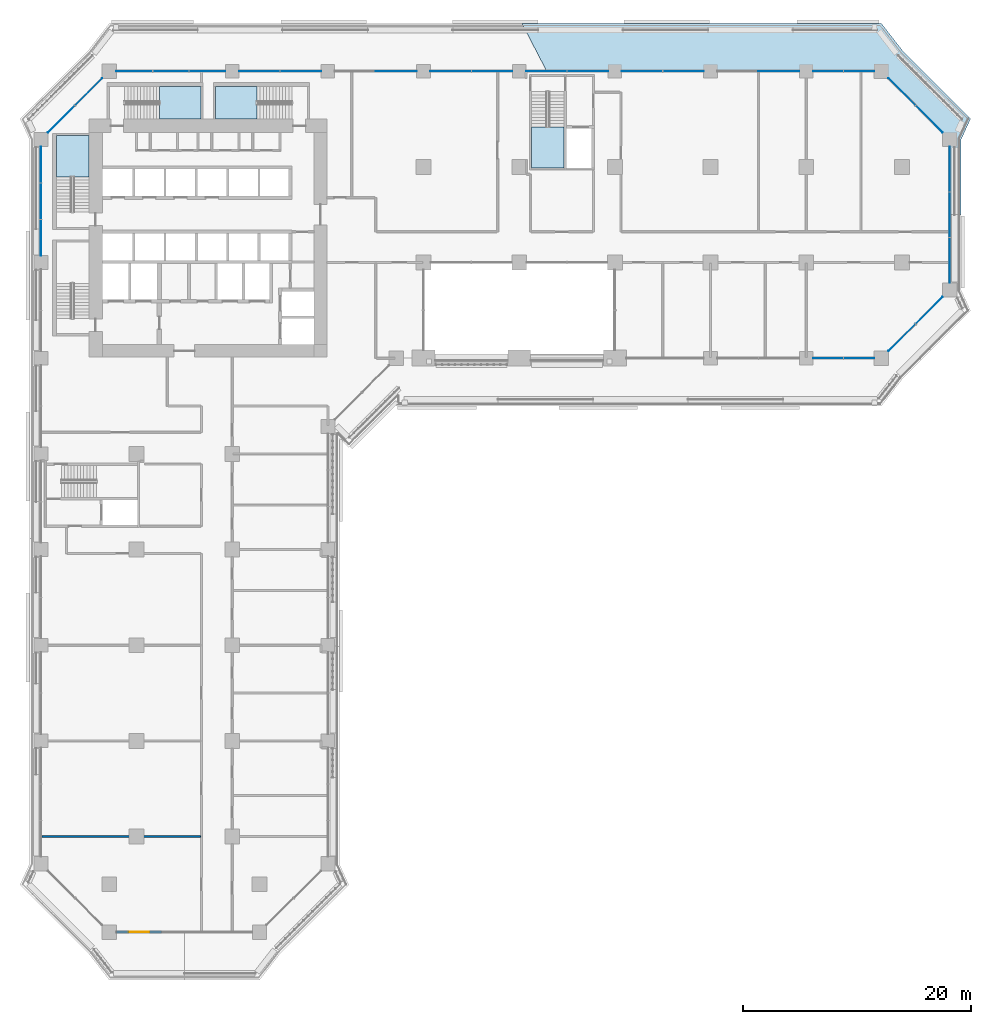
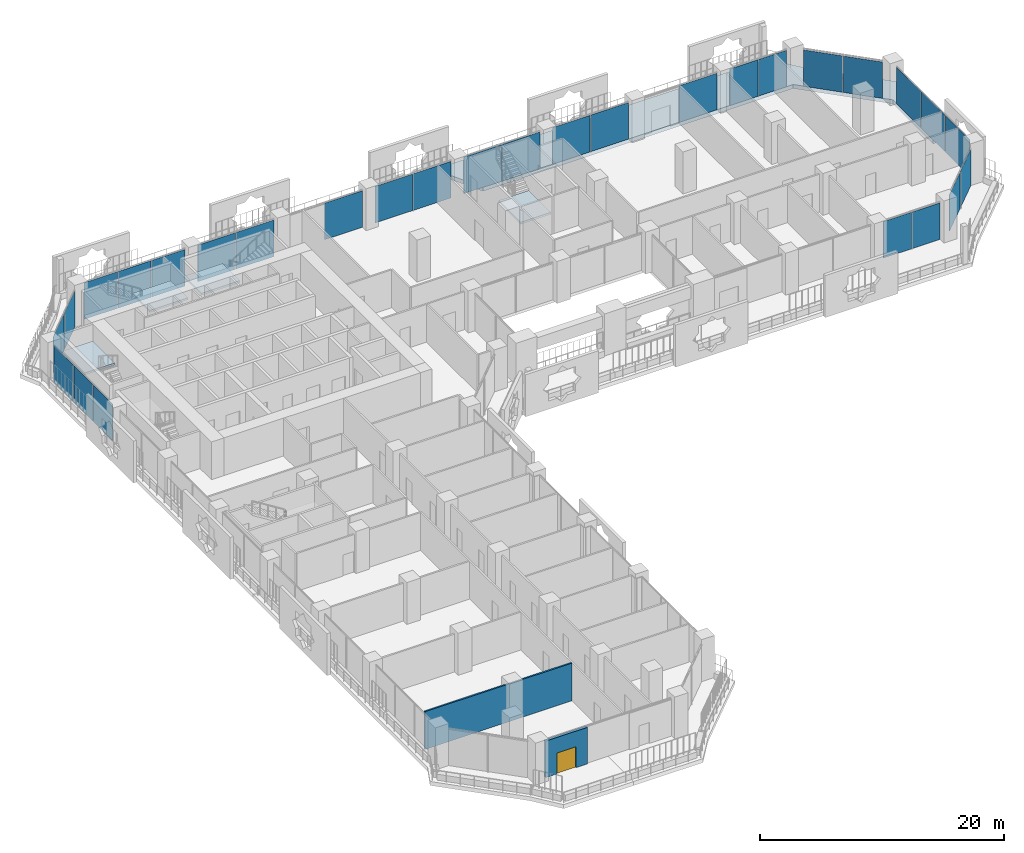
# One storey, part 12 of 28: 29 plates, 5 slabs, 2 walls, 1 door, 1 opening, 11 elements without a shape of their own.
"""IFC4 building model written with IfcOpenShell, lengths in metres."""

from ifc_helpers import new_model, si_unit, direction, frame, frame_2d, origin, origin_2d, place, context, subcontext, project, spatial, polyline, rectangle, outline, extrude, material, layer, layer_set, type_object, element, fill, aggregate, save


model = new_model("IFC4")

# Units and contexts
model_context = context("Model", 3, precision=1e-05, world=origin(), true_north=direction((0.0, 1.0)))
body_context = subcontext(model_context, "Body", "Model", "MODEL_VIEW")
ifc_project = project(units=[si_unit("LENGTHUNIT", "METRE"), si_unit("AREAUNIT", "SQUARE_METRE"), si_unit("VOLUMEUNIT", "CUBIC_METRE"), si_unit("PLANEANGLEUNIT", "RADIAN"), si_unit("MASSUNIT", "GRAM", prefix="KILO")], contexts=[model_context])

# Site, building, storey
site_placement = place(None, origin())
site = spatial("IfcSite", under=ifc_project, at=site_placement, CompositionType="ELEMENT")
building_placement = place(site_placement, origin())
building = spatial("IfcBuilding", under=site, at=building_placement, Name="Kawkab Arch Medical Tower", CompositionType="ELEMENT")
storey_placement = place(building_placement, frame((0.0, 0.0, 47.60009765625)))
storey = spatial("IfcBuildingStorey", under=building, at=storey_placement, Name="L10", CompositionType="ELEMENT", Elevation=47.60009765625)

# Curtain wall, plates
ifc_material_1 = material(Name="Bronze anodised aluminium curtain wall frame", Category="aluminium")
ifc_layer_1 = layer(ifc_material_1, 0.159912109375)
ifc_layer_set_1 = layer_set([ifc_layer_1], Name="Bronze anodised aluminium curtain wall frame")
curtain_wall_type_1 = type_object("IfcCurtainWallType", Name="CW1 ward curtain wall", PredefinedType="NOTDEFINED", material=ifc_layer_set_1)
placement_1 = place(storey_placement, origin())
curtain_wall_1 = element("IfcCurtainWall", 1, at=placement_1, inside=storey, type_object=curtain_wall_type_1, Name="CW1 Ward curtain wall R05", PredefinedType="NOTDEFINED")
ifc_material_2 = material(Name="Tinted insulating glass, bronze low-e coating", Category="glass")
ifc_layer_2 = layer(ifc_material_2, 0.031982421875)
ifc_layer_set_2 = layer_set([ifc_layer_2], Name="Tinted insulating glass, bronze low-e coating")
plate_type_1 = type_object("IfcPlateType", Name="CW1 glazing unit 32", PredefinedType="CURTAIN_PANEL", material=ifc_layer_set_2)
plate_1_placement = place(storey_placement, frame((69.128662109375, -25.199951171875, 0.0), z_axis=(0.0, 0.0, 1.0), x_axis=(1.0, 0.0, 0.0)))
plate_1 = element("IfcPlate", 2, at=plate_1_placement, type_object=plate_type_1, Name="CW1 glazing unit 3.1", PredefinedType="CURTAIN_PANEL", context=body_context, shape_type="SweptSolid", body=[
    extrude(rectangle(XDim=2.657470703125, YDim=0.031982421875, at=origin_2d()), origin(), (0.0, 0.0, 1.0), 3.659912109375),
])
plate_2_placement = place(storey_placement, frame((71.84619140625, -25.199951171875, 0.0), z_axis=(0.0, 0.0, 1.0), x_axis=(1.0, 0.0, 0.0)))
plate_2 = element("IfcPlate", 3, at=plate_2_placement, type_object=plate_type_1, Name="CW1 glazing unit 3.2", PredefinedType="CURTAIN_PANEL", context=body_context, shape_type="SweptSolid", body=[
    extrude(rectangle(XDim=2.657470703125, YDim=0.031982421875, at=origin_2d()), origin(), (0.0, 0.0, 1.0), 3.659912109375),
])
aggregate(curtain_wall_1, [plate_1, plate_2])

curtain_wall_2 = element("IfcCurtainWall", 4, at=placement_1, inside=storey, type_object=curtain_wall_type_1, Name="CW1 Ward curtain wall R07", PredefinedType="NOTDEFINED")
plate_3_placement = place(storey_placement, frame((79.800048828125, -16.598388671875, 0.0), z_axis=(0.0, 0.0, 1.0), x_axis=(0.0, 1.0, 0.0)))
plate_3 = element("IfcPlate", 5, at=plate_3_placement, type_object=plate_type_1, Name="CW1 glazing unit 1.1", PredefinedType="CURTAIN_PANEL", context=body_context, shape_type="SweptSolid", body=[
    extrude(rectangle(XDim=3.953369140625, YDim=0.031982421875, at=origin_2d()), origin(), (0.0, 0.0, 1.0), 3.659912109375),
])
plate_4_placement = place(storey_placement, frame((79.800048828125, -12.60009765625, 0.0), z_axis=(0.0, 0.0, 1.0), x_axis=(0.0, 1.0, 0.0)))
plate_4 = element("IfcPlate", 6, at=plate_4_placement, type_object=plate_type_1, Name="CW1 glazing unit 1.2", PredefinedType="CURTAIN_PANEL", context=body_context, shape_type="SweptSolid", body=[
    extrude(rectangle(XDim=3.92333984375, YDim=0.031982421875, at=origin_2d()), origin(), (0.0, 0.0, 1.0), 3.659912109375),
])
plate_5_placement = place(storey_placement, frame((79.800048828125, -8.6015625, 0.0), z_axis=(0.0, 0.0, 1.0), x_axis=(0.0, 1.0, 0.0)))
plate_5 = element("IfcPlate", 7, at=plate_5_placement, type_object=plate_type_1, Name="CW1 glazing unit 1.3", PredefinedType="CURTAIN_PANEL", context=body_context, shape_type="SweptSolid", body=[
    extrude(rectangle(XDim=3.953369140625, YDim=0.031982421875, at=origin_2d()), origin(), (0.0, 0.0, 1.0), 3.659912109375),
])
aggregate(curtain_wall_2, [plate_3, plate_4, plate_5])

curtain_wall_3 = element("IfcCurtainWall", 8, at=placement_1, inside=storey, type_object=curtain_wall_type_1, Name="CW1 Ward curtain wall R09", PredefinedType="NOTDEFINED")
plate_6_placement = place(storey_placement, frame((71.84619140625, 0.0, 0.0), z_axis=(0.0, 0.0, 1.0), x_axis=(-1.0, 0.0, 0.0)))
plate_6 = element("IfcPlate", 9, at=plate_6_placement, type_object=plate_type_1, Name="CW1 glazing unit 1.1", PredefinedType="CURTAIN_PANEL", context=body_context, shape_type="SweptSolid", body=[
    extrude(rectangle(XDim=2.657470703125, YDim=0.031982421875, at=origin_2d()), origin(), (0.0, 0.0, 1.0), 3.659912109375),
])
plate_7_placement = place(storey_placement, frame((69.128662109375, 0.0, 0.0), z_axis=(0.0, 0.0, 1.0), x_axis=(-1.0, 0.0, 0.0)))
plate_7 = element("IfcPlate", 10, at=plate_7_placement, type_object=plate_type_1, Name="CW1 glazing unit 1.2", PredefinedType="CURTAIN_PANEL", context=body_context, shape_type="SweptSolid", body=[
    extrude(rectangle(XDim=2.657470703125, YDim=0.031982421875, at=origin_2d()), origin(), (0.0, 0.0, 1.0), 3.659912109375),
])
plate_8_placement = place(storey_placement, frame((64.800048828125, 0.0, 0.0), z_axis=(0.0, 0.0, 1.0), x_axis=(-1.0, 0.0, 0.0)))
plate_8 = element("IfcPlate", 11, at=plate_8_placement, type_object=plate_type_1, Name="CW1 glazing unit 2.1", PredefinedType="CURTAIN_PANEL", context=body_context, shape_type="SweptSolid", body=[
    extrude(rectangle(XDim=3.60009765625, YDim=0.031982421875, at=origin_2d()), origin(), (0.0, 0.0, 1.0), 3.659912109375),
])
plate_9_placement = place(storey_placement, frame((56.4150390625, 0.0, 0.0), z_axis=(0.0, 0.0, 1.0), x_axis=(-1.0, 0.0, 0.0)))
plate_9 = element("IfcPlate", 12, at=plate_9_placement, type_object=plate_type_1, Name="CW1 glazing unit 3.1", PredefinedType="CURTAIN_PANEL", context=body_context, shape_type="SweptSolid", body=[
    extrude(rectangle(XDim=3.570068359375, YDim=0.031982421875, at=origin_2d()), origin(), (0.0, 0.0, 1.0), 3.659912109375),
])
plate_10_placement = place(storey_placement, frame((52.784912109375, 0.0, 0.0), z_axis=(0.0, 0.0, 1.0), x_axis=(-1.0, 0.0, 0.0)))
plate_10 = element("IfcPlate", 13, at=plate_10_placement, type_object=plate_type_1, Name="CW1 glazing unit 3.2", PredefinedType="CURTAIN_PANEL", context=body_context, shape_type="SweptSolid", body=[
    extrude(rectangle(XDim=3.570068359375, YDim=0.031982421875, at=origin_2d()), origin(), (0.0, 0.0, 1.0), 3.659912109375),
])
plate_11_placement = place(storey_placement, frame((48.014892578125, 0.0, 0.0), z_axis=(0.0, 0.0, 1.0), x_axis=(-1.0, 0.0, 0.0)))
plate_11 = element("IfcPlate", 14, at=plate_11_placement, type_object=plate_type_1, Name="CW1 glazing unit 4.1", PredefinedType="CURTAIN_PANEL", context=body_context, shape_type="SweptSolid", body=[
    extrude(rectangle(XDim=3.570068359375, YDim=0.031982421875, at=origin_2d()), origin(), (0.0, 0.0, 1.0), 3.659912109375),
])
plate_12_placement = place(storey_placement, frame((44.385009765625, 0.0, 0.0), z_axis=(0.0, 0.0, 1.0), x_axis=(-1.0, 0.0, 0.0)))
plate_12 = element("IfcPlate", 15, at=plate_12_placement, type_object=plate_type_1, Name="CW1 glazing unit 4.2", PredefinedType="CURTAIN_PANEL", context=body_context, shape_type="SweptSolid", body=[
    extrude(rectangle(XDim=3.570068359375, YDim=0.031982421875, at=origin_2d()), origin(), (0.0, 0.0, 1.0), 3.659912109375),
])
plate_13_placement = place(storey_placement, frame((39.614990234375, 0.0, 0.0), z_axis=(0.0, 0.0, 1.0), x_axis=(-1.0, 0.0, 0.0)))
plate_13 = element("IfcPlate", 16, at=plate_13_placement, type_object=plate_type_1, Name="CW1 glazing unit 5.1", PredefinedType="CURTAIN_PANEL", context=body_context, shape_type="SweptSolid", body=[
    extrude(rectangle(XDim=3.570068359375, YDim=0.031982421875, at=origin_2d()), origin(), (0.0, 0.0, 1.0), 3.659912109375),
])
plate_14_placement = place(storey_placement, frame((35.985107421875, 0.0, 0.0), z_axis=(0.0, 0.0, 1.0), x_axis=(-1.0, 0.0, 0.0)))
plate_14 = element("IfcPlate", 17, at=plate_14_placement, type_object=plate_type_1, Name="CW1 glazing unit 5.2", PredefinedType="CURTAIN_PANEL", context=body_context, shape_type="SweptSolid", body=[
    extrude(rectangle(XDim=3.570068359375, YDim=0.031982421875, at=origin_2d()), origin(), (0.0, 0.0, 1.0), 3.659912109375),
])
plate_15_placement = place(storey_placement, frame((31.199951171875, 0.0, 0.0), z_axis=(0.0, 0.0, 1.0), x_axis=(-1.0, 0.0, 0.0)))
plate_15 = element("IfcPlate", 18, at=plate_15_placement, type_object=plate_type_1, Name="CW1 glazing unit 6.1", PredefinedType="CURTAIN_PANEL", context=body_context, shape_type="SweptSolid", body=[
    extrude(rectangle(XDim=3.60009765625, YDim=0.031982421875, at=origin_2d()), origin(), (0.0, 0.0, 1.0), 3.659912109375),
])
plate_16_placement = place(storey_placement, frame((22.81494140625, 0.0, 0.0), z_axis=(0.0, 0.0, 1.0), x_axis=(-1.0, 0.0, 0.0)))
plate_16 = element("IfcPlate", 19, at=plate_16_placement, type_object=plate_type_1, Name="CW1 glazing unit 7.1", PredefinedType="CURTAIN_PANEL", context=body_context, shape_type="SweptSolid", body=[
    extrude(rectangle(XDim=3.570068359375, YDim=0.031982421875, at=origin_2d()), origin(), (0.0, 0.0, 1.0), 3.659912109375),
])
plate_17_placement = place(storey_placement, frame((19.18505859375, 0.0, 0.0), z_axis=(0.0, 0.0, 1.0), x_axis=(-1.0, 0.0, 0.0)))
plate_17 = element("IfcPlate", 20, at=plate_17_placement, type_object=plate_type_1, Name="CW1 glazing unit 7.2", PredefinedType="CURTAIN_PANEL", context=body_context, shape_type="SweptSolid", body=[
    extrude(rectangle(XDim=3.570068359375, YDim=0.031982421875, at=origin_2d()), origin(), (0.0, 0.0, 1.0), 3.659912109375),
])
plate_18_placement = place(storey_placement, frame((14.619140625, 0.0, 0.0), z_axis=(0.0, 0.0, 1.0), x_axis=(-1.0, 0.0, 0.0)))
plate_18 = element("IfcPlate", 21, at=plate_18_placement, type_object=plate_type_1, Name="CW1 glazing unit 8.1", PredefinedType="CURTAIN_PANEL", context=body_context, shape_type="SweptSolid", body=[
    extrude(rectangle(XDim=3.16162109375, YDim=0.031982421875, at=origin_2d()), origin(), (0.0, 0.0, 1.0), 3.659912109375),
])
plate_19_placement = place(storey_placement, frame((11.41259765625, 0.0, 0.0), z_axis=(0.0, 0.0, 1.0), x_axis=(-1.0, 0.0, 0.0)))
plate_19 = element("IfcPlate", 22, at=plate_19_placement, type_object=plate_type_1, Name="CW1 glazing unit 8.2", PredefinedType="CURTAIN_PANEL", context=body_context, shape_type="SweptSolid", body=[
    extrude(rectangle(XDim=3.131591796875, YDim=0.031982421875, at=origin_2d()), origin(), (0.0, 0.0, 1.0), 3.659912109375),
])
plate_20_placement = place(storey_placement, frame((8.205810546875, 0.0, 0.0), z_axis=(0.0, 0.0, 1.0), x_axis=(-1.0, 0.0, 0.0)))
plate_20 = element("IfcPlate", 23, at=plate_20_placement, type_object=plate_type_1, Name="CW1 glazing unit 8.3", PredefinedType="CURTAIN_PANEL", context=body_context, shape_type="SweptSolid", body=[
    extrude(rectangle(XDim=3.16162109375, YDim=0.031982421875, at=origin_2d()), origin(), (0.0, 0.0, 1.0), 3.659912109375),
])
aggregate(curtain_wall_3, [plate_6, plate_7, plate_8, plate_9, plate_10, plate_11, plate_12, plate_13, plate_14, plate_15, plate_16, plate_17, plate_18, plate_19, plate_20])

curtain_wall_4 = element("IfcCurtainWall", 24, at=placement_1, inside=storey, type_object=curtain_wall_type_1, Name="CW1 Ward curtain wall R11", PredefinedType="NOTDEFINED")
plate_21_placement = place(storey_placement, frame((0.0, -8.205810546875, 0.0), z_axis=(0.0, 0.0, 1.0), x_axis=(0.0, -1.0, 0.0)))
plate_21 = element("IfcPlate", 25, at=plate_21_placement, type_object=plate_type_1, Name="CW1 glazing unit 1.1", PredefinedType="CURTAIN_PANEL", context=body_context, shape_type="SweptSolid", body=[
    extrude(rectangle(XDim=3.16162109375, YDim=0.031982421875, at=origin_2d()), origin(), (0.0, 0.0, 1.0), 3.659912109375),
])
plate_22_placement = place(storey_placement, frame((0.0, -11.41259765625, 0.0), z_axis=(0.0, 0.0, 1.0), x_axis=(0.0, -1.0, 0.0)))
plate_22 = element("IfcPlate", 26, at=plate_22_placement, type_object=plate_type_1, Name="CW1 glazing unit 1.2", PredefinedType="CURTAIN_PANEL", context=body_context, shape_type="SweptSolid", body=[
    extrude(rectangle(XDim=3.131591796875, YDim=0.031982421875, at=origin_2d()), origin(), (0.0, 0.0, 1.0), 3.659912109375),
])
plate_23_placement = place(storey_placement, frame((0.0, -14.619140625, 0.0), z_axis=(0.0, 0.0, 1.0), x_axis=(0.0, -1.0, 0.0)))
plate_23 = element("IfcPlate", 27, at=plate_23_placement, type_object=plate_type_1, Name="CW1 glazing unit 1.3", PredefinedType="CURTAIN_PANEL", context=body_context, shape_type="SweptSolid", body=[
    extrude(rectangle(XDim=3.16162109375, YDim=0.031982421875, at=origin_2d()), origin(), (0.0, 0.0, 1.0), 3.659912109375),
])
aggregate(curtain_wall_4, [plate_21, plate_22, plate_23])

ifc_material_3 = material(Name="Bronze anodised aluminium curtain wall frame", Category="aluminium")
ifc_layer_3 = layer(ifc_material_3, 0.159912109375)
ifc_layer_set_3 = layer_set([ifc_layer_3], Name="Bronze anodised aluminium curtain wall frame")
curtain_wall_type_2 = type_object("IfcCurtainWallType", Name="CW2 chamfer curtain wall", PredefinedType="NOTDEFINED", material=ifc_layer_set_3)
curtain_wall_5 = element("IfcCurtainWall", 28, at=placement_1, inside=storey, type_object=curtain_wall_type_2, Name="CW2 Chamfer curtain wall R06", PredefinedType="NOTDEFINED")
ifc_material_4 = material(Name="Tinted insulating glass, bronze low-e coating", Category="glass")
ifc_layer_4 = layer(ifc_material_4, 0.031982421875)
ifc_layer_set_4 = layer_set([ifc_layer_4], Name="Tinted insulating glass, bronze low-e coating")
plate_type_2 = type_object("IfcPlateType", Name="CW2 glazing unit 32", PredefinedType="CURTAIN_PANEL", material=ifc_layer_set_4)
plate_24_placement = place(storey_placement, frame((75.601806640625, -23.398193359375, 0.0), z_axis=(0.0, 0.0, 1.0), x_axis=(0.707106781187, 0.707106781187, 0.0)))
plate_24 = element("IfcPlate", 29, at=plate_24_placement, type_object=plate_type_2, Name="CW2 glazing unit 1.1", PredefinedType="CURTAIN_PANEL", context=body_context, shape_type="SweptSolid", body=[
    extrude(rectangle(XDim=3.328857421875, YDim=0.031982421875, at=origin_2d()), origin(), (0.0, 0.0, 1.0), 3.639892578125),
])
plate_25_placement = place(storey_placement, frame((77.998046875, -21.001953125, 0.0), z_axis=(0.0, 0.0, 1.0), x_axis=(0.707106781187, 0.707106781187, 0.0)))
plate_25 = element("IfcPlate", 30, at=plate_25_placement, type_object=plate_type_2, Name="CW2 glazing unit 1.2", PredefinedType="CURTAIN_PANEL", context=body_context, shape_type="SweptSolid", body=[
    extrude(rectangle(XDim=3.328857421875, YDim=0.031982421875, at=origin_2d()), origin(), (0.0, 0.0, 1.0), 3.639892578125),
])
aggregate(curtain_wall_5, [plate_24, plate_25])

curtain_wall_6 = element("IfcCurtainWall", 31, at=placement_1, inside=storey, type_object=curtain_wall_type_2, Name="CW2 Chamfer curtain wall R08", PredefinedType="NOTDEFINED")
plate_26_placement = place(storey_placement, frame((77.998046875, -4.197998046875, 0.0), z_axis=(0.0, 0.0, 1.0), x_axis=(-0.707106781187, 0.707106781187, 0.0)))
plate_26 = element("IfcPlate", 32, at=plate_26_placement, type_object=plate_type_2, Name="CW2 glazing unit 1.1", PredefinedType="CURTAIN_PANEL", context=body_context, shape_type="SweptSolid", body=[
    extrude(rectangle(XDim=3.328857421875, YDim=0.031982421875, at=origin_2d()), origin(), (0.0, 0.0, 1.0), 3.639892578125),
])
plate_27_placement = place(storey_placement, frame((75.601806640625, -1.802001953125, 0.0), z_axis=(0.0, 0.0, 1.0), x_axis=(-0.707106781187, 0.707106781187, 0.0)))
plate_27 = element("IfcPlate", 33, at=plate_27_placement, type_object=plate_type_2, Name="CW2 glazing unit 1.2", PredefinedType="CURTAIN_PANEL", context=body_context, shape_type="SweptSolid", body=[
    extrude(rectangle(XDim=3.328857421875, YDim=0.031982421875, at=origin_2d()), origin(), (0.0, 0.0, 1.0), 3.639892578125),
])
aggregate(curtain_wall_6, [plate_26, plate_27])

curtain_wall_7 = element("IfcCurtainWall", 34, at=placement_1, inside=storey, type_object=curtain_wall_type_2, Name="CW2 Chamfer curtain wall R10", PredefinedType="NOTDEFINED")
plate_28_placement = place(storey_placement, frame((4.197998046875, -1.802001953125, 0.0), z_axis=(0.0, 0.0, 1.0), x_axis=(-0.707106781187, -0.707106781187, 0.0)))
plate_28 = element("IfcPlate", 35, at=plate_28_placement, type_object=plate_type_2, Name="CW2 glazing unit 1.1", PredefinedType="CURTAIN_PANEL", context=body_context, shape_type="SweptSolid", body=[
    extrude(rectangle(XDim=3.328857421875, YDim=0.031982421875, at=origin_2d()), origin(), (0.0, 0.0, 1.0), 3.639892578125),
])
plate_29_placement = place(storey_placement, frame((1.802001953125, -4.197998046875, 0.0), z_axis=(0.0, 0.0, 1.0), x_axis=(-0.707106781187, -0.707106781187, 0.0)))
plate_29 = element("IfcPlate", 36, at=plate_29_placement, type_object=plate_type_2, Name="CW2 glazing unit 1.2", PredefinedType="CURTAIN_PANEL", context=body_context, shape_type="SweptSolid", body=[
    extrude(rectangle(XDim=3.328857421875, YDim=0.031982421875, at=origin_2d()), origin(), (0.0, 0.0, 1.0), 3.639892578125),
])
aggregate(curtain_wall_7, [plate_28, plate_29])

# Stair, slab
ifc_material_5 = material(Name="Concrete C40/50", Category="concrete")
stair_type = type_object("IfcStairType", Name="Exit stair 1350", PredefinedType="HALF_TURN_STAIR", material=ifc_material_5)
stair_1 = element("IfcStair", 37, at=placement_1, inside=storey, type_object=stair_type, Name="L10 Exit stair ST1", PredefinedType="HALF_TURN_STAIR")
ifc_material_6 = material(Name="Concrete C40/50", Category="concrete")
ifc_layer_5 = layer(ifc_material_6, 0.199951171875)
ifc_layer_set_5 = layer_set([ifc_layer_5], Name="Concrete C40/50")
slab_type_1 = type_object("IfcSlabType", Name="Exit stair landing 200", PredefinedType="LANDING", material=ifc_layer_set_5)
placement_2 = place(storey_placement, frame((0.0, 0.0, 1.89990234375)))
slab_1 = element("IfcSlab", 38, at=placement_2, type_object=slab_type_1, Name="ST1 landing 1", PredefinedType="LANDING", context=body_context, shape_type="SweptSolid", body=[
    extrude(outline(polyline([(4.199951171875, -9.27001953125), (4.199951171875, -5.64990234375), (1.35009765625, -5.64990234375), (1.35009765625, -9.27001953125), (4.199951171875, -9.27001953125)])), origin(), (0.0, 0.0, 1.0), 0.199951171875),
])
aggregate(stair_1, [slab_1])

stair_2 = element("IfcStair", 39, at=placement_1, inside=storey, type_object=stair_type, Name="L10 Exit stair ST3", PredefinedType="HALF_TURN_STAIR")
slab_2 = element("IfcSlab", 40, at=placement_2, type_object=slab_type_1, Name="ST3 landing 1", PredefinedType="LANDING", context=body_context, shape_type="SweptSolid", body=[
    extrude(outline(polyline([(10.429931640625, -4.199951171875), (14.050048828125, -4.199951171875), (14.050048828125, -1.35009765625), (10.429931640625, -1.35009765625), (10.429931640625, -4.199951171875)])), origin(), (0.0, 0.0, 1.0), 0.199951171875),
])
aggregate(stair_2, [slab_2])

stair_3 = element("IfcStair", 41, at=placement_1, inside=storey, type_object=stair_type, Name="L10 Exit stair ST4", PredefinedType="HALF_TURN_STAIR")
slab_3 = element("IfcSlab", 42, at=placement_2, type_object=slab_type_1, Name="ST4 landing 1", PredefinedType="LANDING", context=body_context, shape_type="SweptSolid", body=[
    extrude(outline(polyline([(18.969970703125, -1.35009765625), (15.35009765625, -1.35009765625), (15.35009765625, -4.199951171875), (18.969970703125, -4.199951171875), (18.969970703125, -1.35009765625)])), origin(), (0.0, 0.0, 1.0), 0.199951171875),
])
aggregate(stair_3, [slab_3])

stair_4 = element("IfcStair", 43, at=placement_1, inside=storey, type_object=stair_type, Name="L10 Exit stair ST5", PredefinedType="HALF_TURN_STAIR")
slab_4 = element("IfcSlab", 44, at=placement_2, type_object=slab_type_1, Name="ST5 landing 1", PredefinedType="LANDING", context=body_context, shape_type="SweptSolid", body=[
    extrude(outline(polyline([(43.10009765625, -4.8798828125), (43.10009765625, -8.5), (45.949951171875, -8.5), (45.949951171875, -4.8798828125), (43.10009765625, -4.8798828125)])), origin(), (0.0, 0.0, 1.0), 0.199951171875),
])
aggregate(stair_4, [slab_4])

# Slab
ifc_material_7 = material(Name="Concrete C40/50", Category="concrete")
ifc_layer_6 = layer(ifc_material_7, 0.39990234375)
ifc_layer_set_6 = layer_set([ifc_layer_6], Name="Concrete C40/50")
slab_type_2 = type_object("IfcSlabType", Name="Loggia slab 400", PredefinedType="FLOOR", material=ifc_layer_set_6)
slab_5_placement = place(storey_placement, frame((0.0, 0.0, -0.400146484375)))
element("IfcSlab", 45, at=slab_5_placement, inside=storey, type_object=slab_type_2, Name="Loggia slab L10.6", PredefinedType="FLOOR", context=body_context, shape_type="SweptSolid", body=[
    extrude(outline(polyline([(75.637939453125, 1.837890625), (81.637939453125, -4.162109375), (80.800048828125, -6.0), (80.800048828125, -12.60009765625), (79.800048828125, -12.60009765625), (79.800048828125, -6.0), (73.800048828125, 0.0), (73.800048828125, 0.0009765625), (44.410888671875, 0.0009765625), (42.23388671875, 4.199951171875), (73.800048828125, 4.199951171875), (75.637939453125, 1.837890625)])), origin(), (0.0, 0.0, 1.0), 0.400146484375),
])

# Wall, opening, door
ifc_material_8 = material(Name="Bronze clad insulated wall panel")
ifc_layer_7 = layer(ifc_material_8, 0.25)
ifc_layer_set_7 = layer_set([ifc_layer_7], Name="Bronze clad insulated wall panel")
wall_type_1 = type_object("IfcWallType", Name="External wall bay 250", PredefinedType="SOLIDWALL", material=ifc_layer_set_7)
wall_1_placement = place(storey_placement, frame((6.625, -75.60009765625, 0.0), z_axis=(0.0, 0.0, 1.0), x_axis=(1.0, 0.0, 0.0)))
wall_1 = element("IfcWall", 46, at=wall_1_placement, inside=storey, type_object=wall_type_1, Name="External wall bay L10.R13.1.1", PredefinedType="SOLIDWALL", context=body_context, shape_type="SweptSolid", body=[
    extrude(rectangle(XDim=3.9833984375, YDim=0.25, at=frame_2d((1.99169921875, 0.0))), origin(), (0.0, 0.0, 1.0), 3.659912109375),
])
opening_placement = place(wall_1_placement, frame((1.091796875, 0.0, 0.0)))
opening = element("IfcOpeningElement", 47, at=opening_placement, cuts=wall_1, Name="Opening B10-701", PredefinedType="OPENING", context=body_context, shape_type="SweptSolid", body=[
    extrude(rectangle(XDim=1.800048828125, YDim=2.10009765625, at=frame_2d((0.89990234375, 1.050048828125))), frame((0.0, 0.135009765625, 0.0), z_axis=(0.0, -1.0, 0.0), x_axis=(1.0, 0.0, 0.0)), (0.0, 0.0, 1.0), 0.27001953125),
])
ifc_material_9 = material(Name="Bronze anodised aluminium door with tinted glass", Category="aluminium")
door_type = type_object("IfcDoorType", Name="Double external door 1800 x 2100", OperationType="DOUBLE_DOOR_SINGLE_SWING", PredefinedType="DOOR", material=ifc_material_9)
door_placement = place(opening_placement, origin())
door = element("IfcDoor", 48, at=door_placement, inside=storey, type_object=door_type, Name="External door L10.R13.1.1", OperationType="DOUBLE_DOOR_SINGLE_SWING", OverallHeight=2.10009765625, OverallWidth=1.800048828125, PredefinedType="DOOR", context=body_context, shape_type="SweptSolid", body=[
    extrude(rectangle(XDim=1.800048828125, YDim=2.10009765625, at=frame_2d((0.89990234375, 1.050048828125))), frame((0.0, 0.02490234375, 0.0), z_axis=(0.0, -1.0, 0.0), x_axis=(1.0, 0.0, 0.0)), (0.0, 0.0, 1.0), 0.050048828125),
])
fill(opening, door)

# Wall
ifc_material_10 = material(Name="Gypsum board partition on steel studs, mineral wool", Category="steel")
ifc_layer_8 = layer(ifc_material_10, 0.14990234375)
ifc_layer_set_8 = layer_set([ifc_layer_8], Name="Gypsum board partition on steel studs, mineral wool")
wall_type_2 = type_object("IfcWallType", Name="Partition 150", PredefinedType="PARTITIONING", material=ifc_layer_set_8)
wall_2_placement = place(storey_placement, frame((0.080078125, -67.199951171875, 0.0), z_axis=(0.0, 0.0, 1.0), x_axis=(1.0, 0.0, 0.0)))
element("IfcWall", 49, at=wall_2_placement, inside=storey, type_object=wall_type_2, Name="Partition 150 w001", PredefinedType="PARTITIONING", context=body_context, shape_type="SweptSolid", body=[
    extrude(rectangle(XDim=13.94482421875, YDim=0.14990234375, at=frame_2d((6.972412109375, 0.0))), origin(), (0.0, 0.0, 1.0), 3.77978515625),
])

save(model, "model.ifc")
